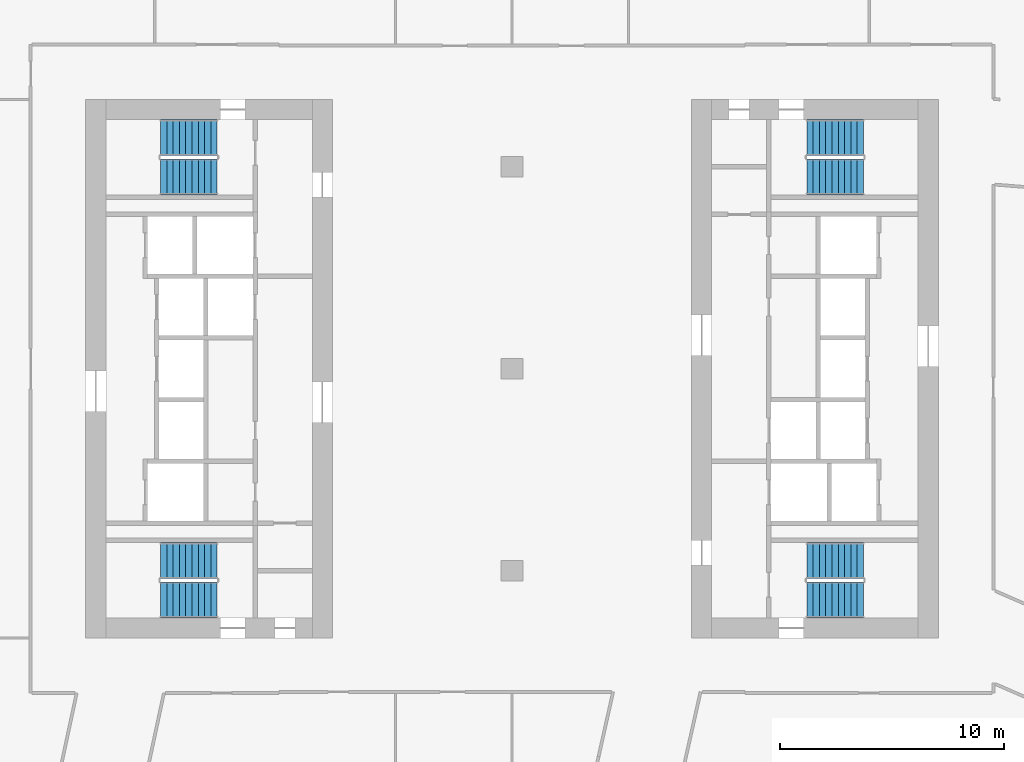
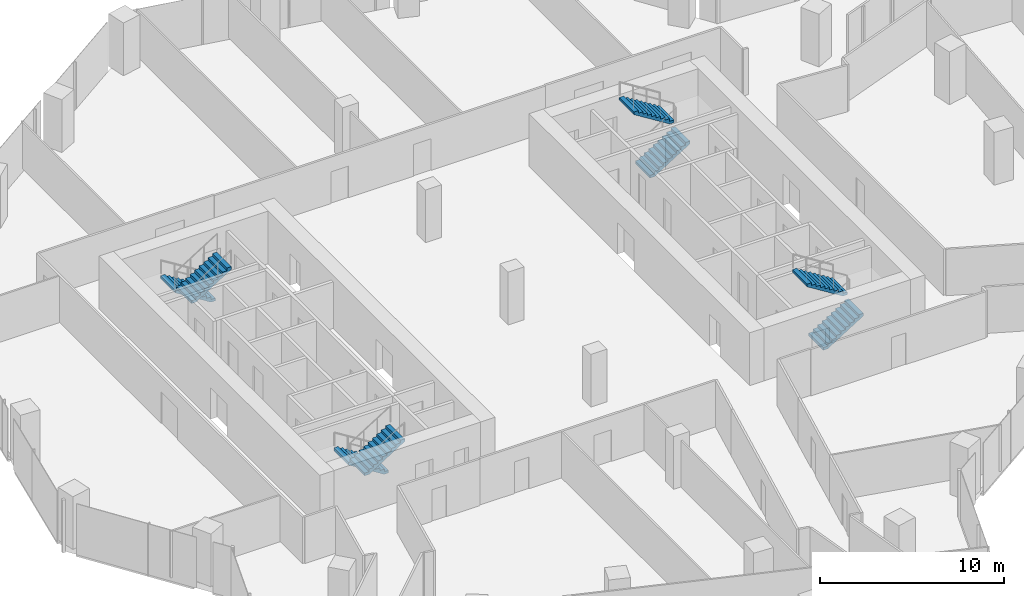
# One storey, part 28 of 32: 8 stair flights, 4 elements without a shape of their own.
"""IFC4 building model written with IfcOpenShell, lengths in metres."""

from ifc_helpers import new_model, si_unit, direction, frame, origin, place, context, subcontext, project, spatial, polyline, outline, extrude, material, type_object, element, aggregate, save


model = new_model("IFC4")

# Units and contexts
model_context = context("Model", 3, precision=1e-05, world=origin(), true_north=direction((0.0, 1.0)))
body_context = subcontext(model_context, "Body", "Model", "MODEL_VIEW")
ifc_project = project(units=[si_unit("LENGTHUNIT", "METRE"), si_unit("AREAUNIT", "SQUARE_METRE"), si_unit("VOLUMEUNIT", "CUBIC_METRE"), si_unit("PLANEANGLEUNIT", "RADIAN"), si_unit("MASSUNIT", "GRAM", prefix="KILO")], contexts=[model_context])

# Site, building, storey
site_placement = place(None, origin())
site = spatial("IfcSite", under=ifc_project, at=site_placement, CompositionType="ELEMENT")
building_placement = place(site_placement, origin())
building = spatial("IfcBuilding", under=site, at=building_placement, Name="Orlundy Tower", CompositionType="ELEMENT")
storey_placement = place(building_placement, frame((0.0, 0.0, 149.10009765625)))
storey = spatial("IfcBuildingStorey", under=building, at=storey_placement, Name="L38", CompositionType="ELEMENT", Elevation=149.10009765625)

# Stair, stair flights
ifc_material_1 = material(Name="Concrete C50/60", Category="concrete")
stair_type = type_object("IfcStairType", Name="Exit Stair 20 risers", PredefinedType="HALF_TURN_STAIR", material=ifc_material_1)
stair_1_placement = place(storey_placement, origin())
stair_1 = element("IfcStair", 1, at=stair_1_placement, inside=storey, type_object=stair_type, Name="L38 Exit Stair ST-W1", PredefinedType="HALF_TURN_STAIR")
ifc_material_2 = material(Name="Concrete C50/60", Category="concrete")
stair_flight_type = type_object("IfcStairFlightType", Name="Stair Flight 10 risers", PredefinedType="STRAIGHT", material=ifc_material_2)
stair_flight_1_placement = place(storey_placement, frame((-13.139892578125, 10.300048828125, 0.0), z_axis=(0.0, 0.0, 1.0), x_axis=(-1.0, 0.0, 0.0)))
stair_flight_1 = element("IfcStairFlight", 2, at=stair_flight_1_placement, type_object=stair_flight_type, Name="ST-W1 flight 1", NumberOfRisers=10, NumberOfTreads=9, PredefinedType="STRAIGHT", RiserHeight=0.175, TreadLength=0.28, context=body_context, shape_type="SweptSolid", body=[
    extrude(outline(polyline([(0.0, 0.0), (0.0, 0.175048828125), (0.280029296875, 0.175048828125), (0.280029296875, 0.35009765625), (0.56005859375, 0.35009765625), (0.56005859375, 0.52490234375), (0.840087890625, 0.52490234375), (0.840087890625, 0.699951171875), (1.1201171875, 0.699951171875), (1.1201171875, 0.875), (1.39990234375, 0.875), (1.39990234375, 1.050048828125), (1.679931640625, 1.050048828125), (1.679931640625, 1.22509765625), (1.9599609375, 1.22509765625), (1.9599609375, 1.39990234375), (2.239990234375, 1.39990234375), (2.239990234375, 1.574951171875), (2.52001953125, 1.574951171875), (2.52001953125, 1.75), (2.52001953125, 1.398193359375), (0.28271484375, 0.0), (0.0, 0.0)])), frame((0.0, 0.800048828125, 0.0), z_axis=(0.0, -1.0, 0.0), x_axis=(1.0, 0.0, 0.0)), (0.0, 0.0, 1.0), 1.60009765625),
])
stair_flight_2_placement = place(storey_placement, frame((-15.659912109375, 8.550048828125, 1.75), z_axis=(0.0, 0.0, 1.0), x_axis=(1.0, 0.0, 0.0)))
stair_flight_2 = element("IfcStairFlight", 3, at=stair_flight_2_placement, type_object=stair_flight_type, Name="ST-W1 flight 2", NumberOfRisers=10, NumberOfTreads=9, PredefinedType="STRAIGHT", RiserHeight=0.175, TreadLength=0.28, context=body_context, shape_type="SweptSolid", body=[
    extrude(outline(polyline([(0.0, 0.0), (0.0, 0.175048828125), (0.280029296875, 0.175048828125), (0.280029296875, 0.35009765625), (0.56005859375, 0.35009765625), (0.56005859375, 0.52490234375), (0.840087890625, 0.52490234375), (0.840087890625, 0.699951171875), (1.1201171875, 0.699951171875), (1.1201171875, 0.875), (1.39990234375, 0.875), (1.39990234375, 1.050048828125), (1.679931640625, 1.050048828125), (1.679931640625, 1.22509765625), (1.9599609375, 1.22509765625), (1.9599609375, 1.39990234375), (2.239990234375, 1.39990234375), (2.239990234375, 1.574951171875), (2.52001953125, 1.574951171875), (2.52001953125, 1.75), (2.52001953125, 1.398193359375), (0.28271484375, 0.0), (0.0, 0.0)])), frame((0.0, 0.800048828125, 0.0), z_axis=(0.0, -1.0, 0.0), x_axis=(1.0, 0.0, 0.0)), (0.0, 0.0, 1.0), 1.60009765625),
])
aggregate(stair_1, [stair_flight_1, stair_flight_2])

stair_2_placement = place(storey_placement, origin())
stair_2 = element("IfcStair", 4, at=stair_2_placement, inside=storey, type_object=stair_type, Name="L38 Exit Stair ST-W2", PredefinedType="HALF_TURN_STAIR")
stair_flight_3_placement = place(storey_placement, frame((-13.139892578125, -8.550048828125, 0.0), z_axis=(0.0, 0.0, 1.0), x_axis=(-1.0, 0.0, 0.0)))
stair_flight_3 = element("IfcStairFlight", 5, at=stair_flight_3_placement, type_object=stair_flight_type, Name="ST-W2 flight 1", NumberOfRisers=10, NumberOfTreads=9, PredefinedType="STRAIGHT", RiserHeight=0.175, TreadLength=0.28, context=body_context, shape_type="SweptSolid", body=[
    extrude(outline(polyline([(0.0, 0.0), (0.0, 0.175048828125), (0.280029296875, 0.175048828125), (0.280029296875, 0.35009765625), (0.56005859375, 0.35009765625), (0.56005859375, 0.52490234375), (0.840087890625, 0.52490234375), (0.840087890625, 0.699951171875), (1.1201171875, 0.699951171875), (1.1201171875, 0.875), (1.39990234375, 0.875), (1.39990234375, 1.050048828125), (1.679931640625, 1.050048828125), (1.679931640625, 1.22509765625), (1.9599609375, 1.22509765625), (1.9599609375, 1.39990234375), (2.239990234375, 1.39990234375), (2.239990234375, 1.574951171875), (2.52001953125, 1.574951171875), (2.52001953125, 1.75), (2.52001953125, 1.398193359375), (0.28271484375, 0.0), (0.0, 0.0)])), frame((0.0, 0.800048828125, 0.0), z_axis=(0.0, -1.0, 0.0), x_axis=(1.0, 0.0, 0.0)), (0.0, 0.0, 1.0), 1.60009765625),
])
stair_flight_4_placement = place(storey_placement, frame((-15.659912109375, -10.300048828125, 1.75), z_axis=(0.0, 0.0, 1.0), x_axis=(1.0, 0.0, 0.0)))
stair_flight_4 = element("IfcStairFlight", 6, at=stair_flight_4_placement, type_object=stair_flight_type, Name="ST-W2 flight 2", NumberOfRisers=10, NumberOfTreads=9, PredefinedType="STRAIGHT", RiserHeight=0.175, TreadLength=0.28, context=body_context, shape_type="SweptSolid", body=[
    extrude(outline(polyline([(0.0, 0.0), (0.0, 0.175048828125), (0.280029296875, 0.175048828125), (0.280029296875, 0.35009765625), (0.56005859375, 0.35009765625), (0.56005859375, 0.52490234375), (0.840087890625, 0.52490234375), (0.840087890625, 0.699951171875), (1.1201171875, 0.699951171875), (1.1201171875, 0.875), (1.39990234375, 0.875), (1.39990234375, 1.050048828125), (1.679931640625, 1.050048828125), (1.679931640625, 1.22509765625), (1.9599609375, 1.22509765625), (1.9599609375, 1.39990234375), (2.239990234375, 1.39990234375), (2.239990234375, 1.574951171875), (2.52001953125, 1.574951171875), (2.52001953125, 1.75), (2.52001953125, 1.398193359375), (0.28271484375, 0.0), (0.0, 0.0)])), frame((0.0, 0.800048828125, 0.0), z_axis=(0.0, -1.0, 0.0), x_axis=(1.0, 0.0, 0.0)), (0.0, 0.0, 1.0), 1.60009765625),
])
aggregate(stair_2, [stair_flight_3, stair_flight_4])

stair_3_placement = place(storey_placement, origin())
stair_3 = element("IfcStair", 7, at=stair_3_placement, inside=storey, type_object=stair_type, Name="L38 Exit Stair ST-E1", PredefinedType="HALF_TURN_STAIR")
stair_flight_5_placement = place(storey_placement, frame((13.139892578125, -10.300048828125, 0.0), z_axis=(0.0, 0.0, 1.0), x_axis=(1.0, 0.0, 0.0)))
stair_flight_5 = element("IfcStairFlight", 8, at=stair_flight_5_placement, type_object=stair_flight_type, Name="ST-E1 flight 1", NumberOfRisers=10, NumberOfTreads=9, PredefinedType="STRAIGHT", RiserHeight=0.175, TreadLength=0.28, context=body_context, shape_type="SweptSolid", body=[
    extrude(outline(polyline([(0.0, 0.0), (0.0, 0.175048828125), (0.280029296875, 0.175048828125), (0.280029296875, 0.35009765625), (0.56005859375, 0.35009765625), (0.56005859375, 0.52490234375), (0.840087890625, 0.52490234375), (0.840087890625, 0.699951171875), (1.1201171875, 0.699951171875), (1.1201171875, 0.875), (1.39990234375, 0.875), (1.39990234375, 1.050048828125), (1.679931640625, 1.050048828125), (1.679931640625, 1.22509765625), (1.9599609375, 1.22509765625), (1.9599609375, 1.39990234375), (2.239990234375, 1.39990234375), (2.239990234375, 1.574951171875), (2.52001953125, 1.574951171875), (2.52001953125, 1.75), (2.52001953125, 1.398193359375), (0.28271484375, 0.0), (0.0, 0.0)])), frame((0.0, 0.800048828125, 0.0), z_axis=(0.0, -1.0, 0.0), x_axis=(1.0, 0.0, 0.0)), (0.0, 0.0, 1.0), 1.60009765625),
])
stair_flight_6_placement = place(storey_placement, frame((15.659912109375, -8.550048828125, 1.75), z_axis=(0.0, 0.0, 1.0), x_axis=(-1.0, 0.0, 0.0)))
stair_flight_6 = element("IfcStairFlight", 9, at=stair_flight_6_placement, type_object=stair_flight_type, Name="ST-E1 flight 2", NumberOfRisers=10, NumberOfTreads=9, PredefinedType="STRAIGHT", RiserHeight=0.175, TreadLength=0.28, context=body_context, shape_type="SweptSolid", body=[
    extrude(outline(polyline([(0.0, 0.0), (0.0, 0.175048828125), (0.280029296875, 0.175048828125), (0.280029296875, 0.35009765625), (0.56005859375, 0.35009765625), (0.56005859375, 0.52490234375), (0.840087890625, 0.52490234375), (0.840087890625, 0.699951171875), (1.1201171875, 0.699951171875), (1.1201171875, 0.875), (1.39990234375, 0.875), (1.39990234375, 1.050048828125), (1.679931640625, 1.050048828125), (1.679931640625, 1.22509765625), (1.9599609375, 1.22509765625), (1.9599609375, 1.39990234375), (2.239990234375, 1.39990234375), (2.239990234375, 1.574951171875), (2.52001953125, 1.574951171875), (2.52001953125, 1.75), (2.52001953125, 1.398193359375), (0.28271484375, 0.0), (0.0, 0.0)])), frame((0.0, 0.800048828125, 0.0), z_axis=(0.0, -1.0, 0.0), x_axis=(1.0, 0.0, 0.0)), (0.0, 0.0, 1.0), 1.60009765625),
])
aggregate(stair_3, [stair_flight_5, stair_flight_6])

stair_4_placement = place(storey_placement, origin())
stair_4 = element("IfcStair", 10, at=stair_4_placement, inside=storey, type_object=stair_type, Name="L38 Exit Stair ST-E2", PredefinedType="HALF_TURN_STAIR")
stair_flight_7_placement = place(storey_placement, frame((13.139892578125, 8.550048828125, 0.0), z_axis=(0.0, 0.0, 1.0), x_axis=(1.0, 0.0, 0.0)))
stair_flight_7 = element("IfcStairFlight", 11, at=stair_flight_7_placement, type_object=stair_flight_type, Name="ST-E2 flight 1", NumberOfRisers=10, NumberOfTreads=9, PredefinedType="STRAIGHT", RiserHeight=0.175, TreadLength=0.28, context=body_context, shape_type="SweptSolid", body=[
    extrude(outline(polyline([(0.0, 0.0), (0.0, 0.175048828125), (0.280029296875, 0.175048828125), (0.280029296875, 0.35009765625), (0.56005859375, 0.35009765625), (0.56005859375, 0.52490234375), (0.840087890625, 0.52490234375), (0.840087890625, 0.699951171875), (1.1201171875, 0.699951171875), (1.1201171875, 0.875), (1.39990234375, 0.875), (1.39990234375, 1.050048828125), (1.679931640625, 1.050048828125), (1.679931640625, 1.22509765625), (1.9599609375, 1.22509765625), (1.9599609375, 1.39990234375), (2.239990234375, 1.39990234375), (2.239990234375, 1.574951171875), (2.52001953125, 1.574951171875), (2.52001953125, 1.75), (2.52001953125, 1.398193359375), (0.28271484375, 0.0), (0.0, 0.0)])), frame((0.0, 0.800048828125, 0.0), z_axis=(0.0, -1.0, 0.0), x_axis=(1.0, 0.0, 0.0)), (0.0, 0.0, 1.0), 1.60009765625),
])
stair_flight_8_placement = place(storey_placement, frame((15.659912109375, 10.300048828125, 1.75), z_axis=(0.0, 0.0, 1.0), x_axis=(-1.0, 0.0, 0.0)))
stair_flight_8 = element("IfcStairFlight", 12, at=stair_flight_8_placement, type_object=stair_flight_type, Name="ST-E2 flight 2", NumberOfRisers=10, NumberOfTreads=9, PredefinedType="STRAIGHT", RiserHeight=0.175, TreadLength=0.28, context=body_context, shape_type="SweptSolid", body=[
    extrude(outline(polyline([(0.0, 0.0), (0.0, 0.175048828125), (0.280029296875, 0.175048828125), (0.280029296875, 0.35009765625), (0.56005859375, 0.35009765625), (0.56005859375, 0.52490234375), (0.840087890625, 0.52490234375), (0.840087890625, 0.699951171875), (1.1201171875, 0.699951171875), (1.1201171875, 0.875), (1.39990234375, 0.875), (1.39990234375, 1.050048828125), (1.679931640625, 1.050048828125), (1.679931640625, 1.22509765625), (1.9599609375, 1.22509765625), (1.9599609375, 1.39990234375), (2.239990234375, 1.39990234375), (2.239990234375, 1.574951171875), (2.52001953125, 1.574951171875), (2.52001953125, 1.75), (2.52001953125, 1.398193359375), (0.28271484375, 0.0), (0.0, 0.0)])), frame((0.0, 0.800048828125, 0.0), z_axis=(0.0, -1.0, 0.0), x_axis=(1.0, 0.0, 0.0)), (0.0, 0.0, 1.0), 1.60009765625),
])
aggregate(stair_4, [stair_flight_7, stair_flight_8])

save(model, "model.ifc")
